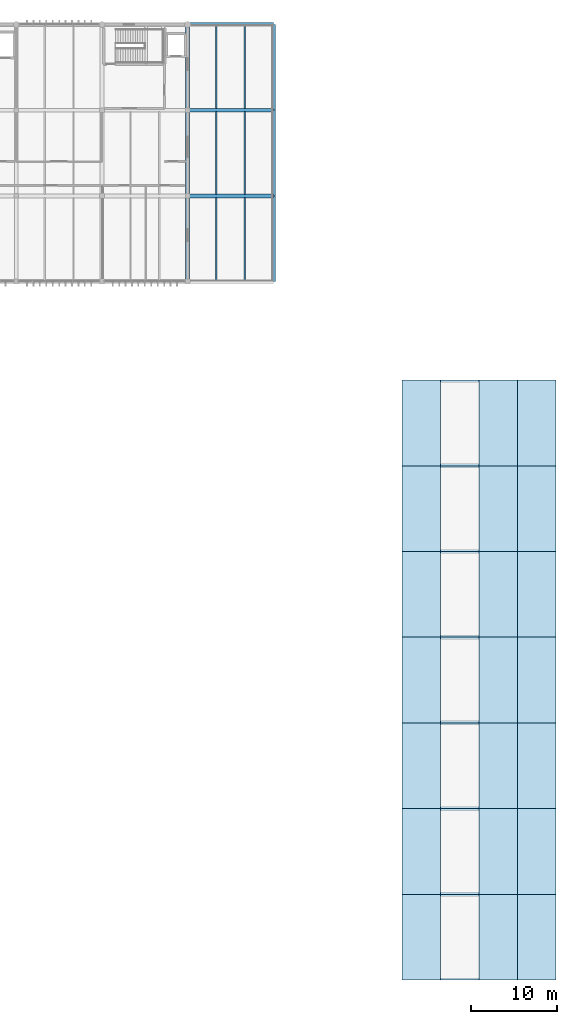
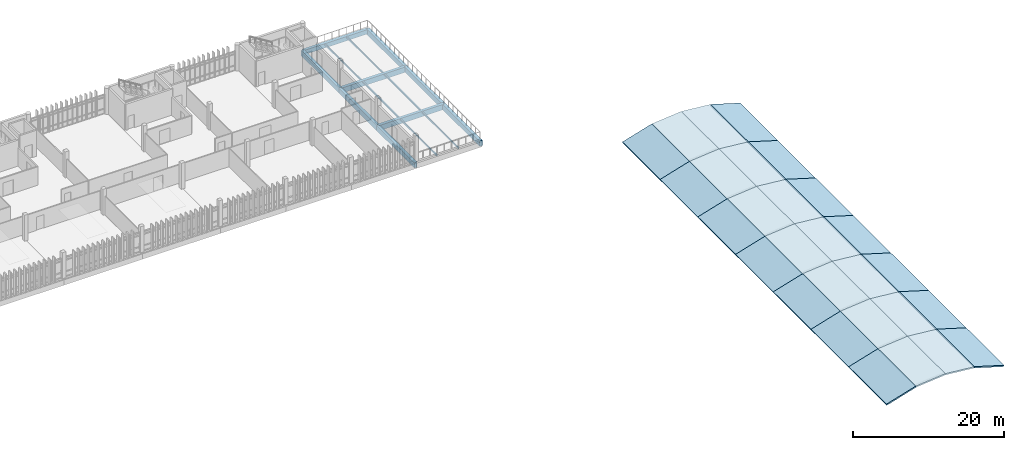
# One storey, part 21 of 29: 28 slabs, 15 beams.
"""IFC4 building model written with IfcOpenShell, lengths in metres."""

from ifc_helpers import new_model, si_unit, direction, frame, origin, origin_2d, place, context, subcontext, project, spatial, polyline, rectangle, hollow_rectangle, outline, extrude, material, layer, layer_set, material_profile, profile_set, type_object, element, save


model = new_model("IFC4")

# Units and contexts
model_context = context("Model", 3, precision=1e-05, world=origin(), true_north=direction((0.0, 1.0)))
body_context = subcontext(model_context, "Body", "Model", "MODEL_VIEW")
ifc_project = project(units=[si_unit("LENGTHUNIT", "METRE"), si_unit("AREAUNIT", "SQUARE_METRE"), si_unit("VOLUMEUNIT", "CUBIC_METRE"), si_unit("PLANEANGLEUNIT", "RADIAN"), si_unit("MASSUNIT", "GRAM", prefix="KILO")], contexts=[model_context])

# Site, building, storey
site_placement = place(None, origin())
site = spatial("IfcSite", under=ifc_project, at=site_placement, CompositionType="ELEMENT")
building_placement = place(site_placement, origin())
building = spatial("IfcBuilding", under=site, at=building_placement, Name="Mersad Railyard Sports Hall", CompositionType="ELEMENT")
storey_placement = place(building_placement, frame((0.0, 0.0, 17.39990234375)))
storey = spatial("IfcBuildingStorey", under=building, at=storey_placement, Name="L04", CompositionType="ELEMENT", Elevation=17.39990234375)

# Beams
ifc_material_1 = material(Name="Concrete C40/50", Category="concrete")
ifc_material_profile_1 = material_profile(ifc_material_1, rectangle(XDim=0.449951171875, YDim=0.85009765625, at=origin_2d()), Name="RC 450x850")
ifc_profile_set_1 = profile_set([ifc_material_profile_1], Name="Concrete C40/50")
beam_type_1 = type_object("IfcBeamType", Name="STR-BM-B02", PredefinedType="BEAM", material=ifc_profile_set_1)
for number, where, z_axis, x_axis, name in (
    (1, (121.0, 95.0, -0.744873046875), (1.0, 0.0, 0.0), (0.0, 1.0, 0.0), "Beam B02-1327"),
    (2, (121.0, 105.0, -0.744873046875), (1.0, 0.0, 0.0), (0.0, 1.0, 0.0), "Beam B02-1334"),
    (3, (121.0, 85.0, -0.744873046875), (0.0, 1.0, 0.0), (-1.0, 0.0, 0.0), "Beam B02-1360"),
    (4, (121.0, 95.0, -0.744873046875), (0.0, 1.0, 0.0), (-1.0, 0.0, 0.0), "Beam B02-1361"),
    (5, (121.0, 105.0, -0.744873046875), (0.0, 1.0, 0.0), (-1.0, 0.0, 0.0), "Beam B02-1362"),
    (6, (131.0, 85.0, -0.744873046875), (0.0, 1.0, 0.0), (-1.0, 0.0, 0.0), "Beam B02-1363"),
    (7, (131.0, 95.0, -0.744873046875), (0.0, 1.0, 0.0), (-1.0, 0.0, 0.0), "Beam B02-1364"),
    (8, (131.0, 105.0, -0.744873046875), (0.0, 1.0, 0.0), (-1.0, 0.0, 0.0), "Beam B02-1365"),
):
    element("IfcBeam", number, at=place(storey_placement, frame(where, z_axis=z_axis, x_axis=x_axis)), inside=storey, type_object=beam_type_1, Name=name, PredefinedType="BEAM", context=body_context, shape_type="SweptSolid", body=[
        extrude(rectangle(XDim=0.449951171875, YDim=0.85009765625, at=origin_2d()), origin(), (0.0, 0.0, 1.0), 10.0),
    ])
ifc_material_2 = material(Name="Steel S355", Category="steel")
ifc_material_profile_2 = material_profile(ifc_material_2, hollow_rectangle(XDim=0.14990234375, YDim=0.25, WallThickness=0.012451171875, at=origin_2d()), Name="RHS 250x150x12.5")
ifc_profile_set_2 = profile_set([ifc_material_profile_2], Name="Steel S355")
beam_type_2 = type_object("IfcBeamType", Name="STR-BM-SB05", PredefinedType="BEAM", material=ifc_profile_set_2)
for number, where, z_axis, x_axis, name in (
    (9, (124.3330078125, 85.179931640625, -0.44482421875), (0.0, 1.0, 0.0), (-1.0, 0.0, 0.0), "Beam SB05-1397"),
    (10, (127.6669921875, 85.179931640625, -0.44482421875), (0.0, 1.0, 0.0), (-1.0, 0.0, 0.0), "Beam SB05-1398"),
    (11, (124.3330078125, 95.179931640625, -0.44482421875), (0.0, 1.0, 0.0), (-1.0, 0.0, 0.0), "Beam SB05-1399"),
    (12, (127.6669921875, 95.179931640625, -0.44482421875), (0.0, 1.0, 0.0), (-1.0, 0.0, 0.0), "Beam SB05-1400"),
    (13, (124.3330078125, 105.179931640625, -0.44482421875), (0.0, 1.0, 0.0), (-1.0, 0.0, 0.0), "Beam SB05-1401"),
    (14, (127.6669921875, 105.179931640625, -0.44482421875), (0.0, 1.0, 0.0), (-1.0, 0.0, 0.0), "Beam SB05-1402"),
):
    element("IfcBeam", number, at=place(storey_placement, frame(where, z_axis=z_axis, x_axis=x_axis)), inside=storey, type_object=beam_type_2, Name=name, PredefinedType="BEAM", context=body_context, shape_type="SweptSolid", body=[
        extrude(hollow_rectangle(XDim=0.14990234375, YDim=0.25, WallThickness=0.012451171875, at=origin_2d()), origin(), (0.0, 0.0, 1.0), 9.64013671875),
    ])
ifc_material_3 = material(Name="Architectural concrete C40/50", Category="concrete")
ifc_material_profile_3 = material_profile(ifc_material_3, rectangle(XDim=0.449951171875, YDim=0.699951171875, at=origin_2d()), Name="RC 450x700")
ifc_profile_set_3 = profile_set([ifc_material_profile_3], Name="Architectural concrete C40/50")
beam_type_3 = type_object("IfcBeamType", Name="STR-BM-SP01", PredefinedType="SPANDREL", material=ifc_profile_set_3)
beam_placement = place(storey_placement, frame((121.0, 115.0, -0.669921875), z_axis=(1.0, 0.0, 0.0), x_axis=(0.0, 1.0, 0.0)))
element("IfcBeam", 15, at=beam_placement, inside=storey, type_object=beam_type_3, Name="Beam SP01-1341", PredefinedType="SPANDREL", context=body_context, shape_type="SweptSolid", body=[
    extrude(rectangle(XDim=0.449951171875, YDim=0.699951171875, at=origin_2d()), origin(), (0.0, 0.0, 1.0), 10.0),
])

# Slabs
ifc_material_4 = material(Name="Architectural concrete C50/60", Category="concrete")
ifc_layer = layer(ifc_material_4, 0.219970703125)
ifc_layer_set = layer_set([ifc_layer], Name="Architectural concrete C50/60")
slab_type = type_object("IfcSlabType", Name="STR-SL-RF01", PredefinedType="ROOF", material=ifc_layer_set)
slab_1_placement = place(storey_placement, frame((146.0, 3.5, 1.207275390625), z_axis=(-0.288843816531, 0.0, 0.957376232028), x_axis=(0.957376232028, 0.0, 0.288843816531)))
element("IfcSlab", 16, at=slab_1_placement, inside=storey, type_object=slab_type, Name="Barrel vault shell slab bay 1 seg 3", PredefinedType="ROOF", context=body_context, shape_type="SweptSolid", body=[
    extrude(outline(polyline([(0.0, 0.0), (4.700346477652798, 0.0), (4.700346477652798, 10.0), (0.0, 10.0), (0.0, 0.0)])), origin(), (0.0, 0.0, -1.0), 0.219970703125),
])
for number, where, z_axis, x_axis, name in (
    (17, (150.5, 3.5, 2.56494140625), (-0.09623099978, 0.0, 0.99535902803), (0.99535902803, 0.0, 0.09623099978), "Barrel vault shell slab bay 1 seg 4"),
    (18, (155.0, 3.5, 3.0), (0.09623099978, 0.0, 0.99535902803), (0.99535902803, 0.0, -0.09623099978), "Barrel vault shell slab bay 1 seg 5"),
):
    element("IfcSlab", number, at=place(storey_placement, frame(where, z_axis=z_axis, x_axis=x_axis)), inside=storey, type_object=slab_type, Name=name, PredefinedType="ROOF", context=body_context, shape_type="SweptSolid", body=[
        extrude(outline(polyline([(0.0, 0.0), (4.520981749575609, 0.0), (4.520981749575609, 10.0), (0.0, 10.0), (0.0, 0.0)])), origin(), (0.0, 0.0, -1.0), 0.219970703125),
    ])
for number, where, z_axis, x_axis, name in (
    (19, (159.5, 3.5, 2.56494140625), (0.288843816531, 0.0, 0.957376232028), (0.957376232028, 0.0, -0.288843816531), "Barrel vault shell slab bay 1 seg 6"),
    (20, (146.0, 13.5, 1.207275390625), (-0.288843816531, 0.0, 0.957376232028), (0.957376232028, 0.0, 0.288843816531), "Barrel vault shell slab bay 2 seg 3"),
):
    element("IfcSlab", number, at=place(storey_placement, frame(where, z_axis=z_axis, x_axis=x_axis)), inside=storey, type_object=slab_type, Name=name, PredefinedType="ROOF", context=body_context, shape_type="SweptSolid", body=[
        extrude(outline(polyline([(0.0, 0.0), (4.700346477652798, 0.0), (4.700346477652798, 10.0), (0.0, 10.0), (0.0, 0.0)])), origin(), (0.0, 0.0, -1.0), 0.219970703125),
    ])
for number, where, z_axis, x_axis, name in (
    (21, (150.5, 13.5, 2.56494140625), (-0.09623099978, 0.0, 0.99535902803), (0.99535902803, 0.0, 0.09623099978), "Barrel vault shell slab bay 2 seg 4"),
    (22, (155.0, 13.5, 3.0), (0.09623099978, 0.0, 0.99535902803), (0.99535902803, 0.0, -0.09623099978), "Barrel vault shell slab bay 2 seg 5"),
):
    element("IfcSlab", number, at=place(storey_placement, frame(where, z_axis=z_axis, x_axis=x_axis)), inside=storey, type_object=slab_type, Name=name, PredefinedType="ROOF", context=body_context, shape_type="SweptSolid", body=[
        extrude(outline(polyline([(0.0, 0.0), (4.520981749575609, 0.0), (4.520981749575609, 10.0), (0.0, 10.0), (0.0, 0.0)])), origin(), (0.0, 0.0, -1.0), 0.219970703125),
    ])
for number, where, z_axis, x_axis, name in (
    (23, (159.5, 13.5, 2.56494140625), (0.288843816531, 0.0, 0.957376232028), (0.957376232028, 0.0, -0.288843816531), "Barrel vault shell slab bay 2 seg 6"),
    (24, (146.0, 23.5, 1.207275390625), (-0.288843816531, 0.0, 0.957376232028), (0.957376232028, 0.0, 0.288843816531), "Barrel vault shell slab bay 3 seg 3"),
):
    element("IfcSlab", number, at=place(storey_placement, frame(where, z_axis=z_axis, x_axis=x_axis)), inside=storey, type_object=slab_type, Name=name, PredefinedType="ROOF", context=body_context, shape_type="SweptSolid", body=[
        extrude(outline(polyline([(0.0, 0.0), (4.700346477652798, 0.0), (4.700346477652798, 10.0), (0.0, 10.0), (0.0, 0.0)])), origin(), (0.0, 0.0, -1.0), 0.219970703125),
    ])
for number, where, z_axis, x_axis, name in (
    (25, (150.5, 23.5, 2.56494140625), (-0.09623099978, 0.0, 0.99535902803), (0.99535902803, 0.0, 0.09623099978), "Barrel vault shell slab bay 3 seg 4"),
    (26, (155.0, 23.5, 3.0), (0.09623099978, 0.0, 0.99535902803), (0.99535902803, 0.0, -0.09623099978), "Barrel vault shell slab bay 3 seg 5"),
):
    element("IfcSlab", number, at=place(storey_placement, frame(where, z_axis=z_axis, x_axis=x_axis)), inside=storey, type_object=slab_type, Name=name, PredefinedType="ROOF", context=body_context, shape_type="SweptSolid", body=[
        extrude(outline(polyline([(0.0, 0.0), (4.520981749575609, 0.0), (4.520981749575609, 10.0), (0.0, 10.0), (0.0, 0.0)])), origin(), (0.0, 0.0, -1.0), 0.219970703125),
    ])
for number, where, z_axis, x_axis, name in (
    (27, (159.5, 23.5, 2.56494140625), (0.288843816531, 0.0, 0.957376232028), (0.957376232028, 0.0, -0.288843816531), "Barrel vault shell slab bay 3 seg 6"),
    (28, (146.0, 33.5, 1.207275390625), (-0.288843816531, 0.0, 0.957376232028), (0.957376232028, 0.0, 0.288843816531), "Barrel vault shell slab bay 4 seg 3"),
):
    element("IfcSlab", number, at=place(storey_placement, frame(where, z_axis=z_axis, x_axis=x_axis)), inside=storey, type_object=slab_type, Name=name, PredefinedType="ROOF", context=body_context, shape_type="SweptSolid", body=[
        extrude(outline(polyline([(0.0, 0.0), (4.700346477652798, 0.0), (4.700346477652798, 10.0), (0.0, 10.0), (0.0, 0.0)])), origin(), (0.0, 0.0, -1.0), 0.219970703125),
    ])
for number, where, z_axis, x_axis, name in (
    (29, (150.5, 33.5, 2.56494140625), (-0.09623099978, 0.0, 0.99535902803), (0.99535902803, 0.0, 0.09623099978), "Barrel vault shell slab bay 4 seg 4"),
    (30, (155.0, 33.5, 3.0), (0.09623099978, 0.0, 0.99535902803), (0.99535902803, 0.0, -0.09623099978), "Barrel vault shell slab bay 4 seg 5"),
):
    element("IfcSlab", number, at=place(storey_placement, frame(where, z_axis=z_axis, x_axis=x_axis)), inside=storey, type_object=slab_type, Name=name, PredefinedType="ROOF", context=body_context, shape_type="SweptSolid", body=[
        extrude(outline(polyline([(0.0, 0.0), (4.520981749575609, 0.0), (4.520981749575609, 10.0), (0.0, 10.0), (0.0, 0.0)])), origin(), (0.0, 0.0, -1.0), 0.219970703125),
    ])
for number, where, z_axis, x_axis, name in (
    (31, (159.5, 33.5, 2.56494140625), (0.288843816531, 0.0, 0.957376232028), (0.957376232028, 0.0, -0.288843816531), "Barrel vault shell slab bay 4 seg 6"),
    (32, (146.0, 43.5, 1.207275390625), (-0.288843816531, 0.0, 0.957376232028), (0.957376232028, 0.0, 0.288843816531), "Barrel vault shell slab bay 5 seg 3"),
):
    element("IfcSlab", number, at=place(storey_placement, frame(where, z_axis=z_axis, x_axis=x_axis)), inside=storey, type_object=slab_type, Name=name, PredefinedType="ROOF", context=body_context, shape_type="SweptSolid", body=[
        extrude(outline(polyline([(0.0, 0.0), (4.700346477652798, 0.0), (4.700346477652798, 10.0), (0.0, 10.0), (0.0, 0.0)])), origin(), (0.0, 0.0, -1.0), 0.219970703125),
    ])
for number, where, z_axis, x_axis, name in (
    (33, (150.5, 43.5, 2.56494140625), (-0.09623099978, 0.0, 0.99535902803), (0.99535902803, 0.0, 0.09623099978), "Barrel vault shell slab bay 5 seg 4"),
    (34, (155.0, 43.5, 3.0), (0.09623099978, 0.0, 0.99535902803), (0.99535902803, 0.0, -0.09623099978), "Barrel vault shell slab bay 5 seg 5"),
):
    element("IfcSlab", number, at=place(storey_placement, frame(where, z_axis=z_axis, x_axis=x_axis)), inside=storey, type_object=slab_type, Name=name, PredefinedType="ROOF", context=body_context, shape_type="SweptSolid", body=[
        extrude(outline(polyline([(0.0, 0.0), (4.520981749575609, 0.0), (4.520981749575609, 10.0), (0.0, 10.0), (0.0, 0.0)])), origin(), (0.0, 0.0, -1.0), 0.219970703125),
    ])
for number, where, z_axis, x_axis, name in (
    (35, (159.5, 43.5, 2.56494140625), (0.288843816531, 0.0, 0.957376232028), (0.957376232028, 0.0, -0.288843816531), "Barrel vault shell slab bay 5 seg 6"),
    (36, (146.0, 53.5, 1.207275390625), (-0.288843816531, 0.0, 0.957376232028), (0.957376232028, 0.0, 0.288843816531), "Barrel vault shell slab bay 6 seg 3"),
):
    element("IfcSlab", number, at=place(storey_placement, frame(where, z_axis=z_axis, x_axis=x_axis)), inside=storey, type_object=slab_type, Name=name, PredefinedType="ROOF", context=body_context, shape_type="SweptSolid", body=[
        extrude(outline(polyline([(0.0, 0.0), (4.700346477652798, 0.0), (4.700346477652798, 10.0), (0.0, 10.0), (0.0, 0.0)])), origin(), (0.0, 0.0, -1.0), 0.219970703125),
    ])
for number, where, z_axis, x_axis, name in (
    (37, (150.5, 53.5, 2.56494140625), (-0.09623099978, 0.0, 0.99535902803), (0.99535902803, 0.0, 0.09623099978), "Barrel vault shell slab bay 6 seg 4"),
    (38, (155.0, 53.5, 3.0), (0.09623099978, 0.0, 0.99535902803), (0.99535902803, 0.0, -0.09623099978), "Barrel vault shell slab bay 6 seg 5"),
):
    element("IfcSlab", number, at=place(storey_placement, frame(where, z_axis=z_axis, x_axis=x_axis)), inside=storey, type_object=slab_type, Name=name, PredefinedType="ROOF", context=body_context, shape_type="SweptSolid", body=[
        extrude(outline(polyline([(0.0, 0.0), (4.520981749575609, 0.0), (4.520981749575609, 10.0), (0.0, 10.0), (0.0, 0.0)])), origin(), (0.0, 0.0, -1.0), 0.219970703125),
    ])
for number, where, z_axis, x_axis, name in (
    (39, (159.5, 53.5, 2.56494140625), (0.288843816531, 0.0, 0.957376232028), (0.957376232028, 0.0, -0.288843816531), "Barrel vault shell slab bay 6 seg 6"),
    (40, (146.0, 63.5, 1.207275390625), (-0.288843816531, 0.0, 0.957376232028), (0.957376232028, 0.0, 0.288843816531), "Barrel vault shell slab bay 7 seg 3"),
):
    element("IfcSlab", number, at=place(storey_placement, frame(where, z_axis=z_axis, x_axis=x_axis)), inside=storey, type_object=slab_type, Name=name, PredefinedType="ROOF", context=body_context, shape_type="SweptSolid", body=[
        extrude(outline(polyline([(0.0, 0.0), (4.700346477652798, 0.0), (4.700346477652798, 10.0), (0.0, 10.0), (0.0, 0.0)])), origin(), (0.0, 0.0, -1.0), 0.219970703125),
    ])
for number, where, z_axis, x_axis, name in (
    (41, (150.5, 63.5, 2.56494140625), (-0.09623099978, 0.0, 0.99535902803), (0.99535902803, 0.0, 0.09623099978), "Barrel vault shell slab bay 7 seg 4"),
    (42, (155.0, 63.5, 3.0), (0.09623099978, 0.0, 0.99535902803), (0.99535902803, 0.0, -0.09623099978), "Barrel vault shell slab bay 7 seg 5"),
):
    element("IfcSlab", number, at=place(storey_placement, frame(where, z_axis=z_axis, x_axis=x_axis)), inside=storey, type_object=slab_type, Name=name, PredefinedType="ROOF", context=body_context, shape_type="SweptSolid", body=[
        extrude(outline(polyline([(0.0, 0.0), (4.520981749575609, 0.0), (4.520981749575609, 10.0), (0.0, 10.0), (0.0, 0.0)])), origin(), (0.0, 0.0, -1.0), 0.219970703125),
    ])
slab_2_placement = place(storey_placement, frame((159.5, 63.5, 2.56494140625), z_axis=(0.288843816531, 0.0, 0.957376232028), x_axis=(0.957376232028, 0.0, -0.288843816531)))
element("IfcSlab", 43, at=slab_2_placement, inside=storey, type_object=slab_type, Name="Barrel vault shell slab bay 7 seg 6", PredefinedType="ROOF", context=body_context, shape_type="SweptSolid", body=[
    extrude(outline(polyline([(0.0, 0.0), (4.700346477652798, 0.0), (4.700346477652798, 10.0), (0.0, 10.0), (0.0, 0.0)])), origin(), (0.0, 0.0, -1.0), 0.219970703125),
])

save(model, "model.ifc")
